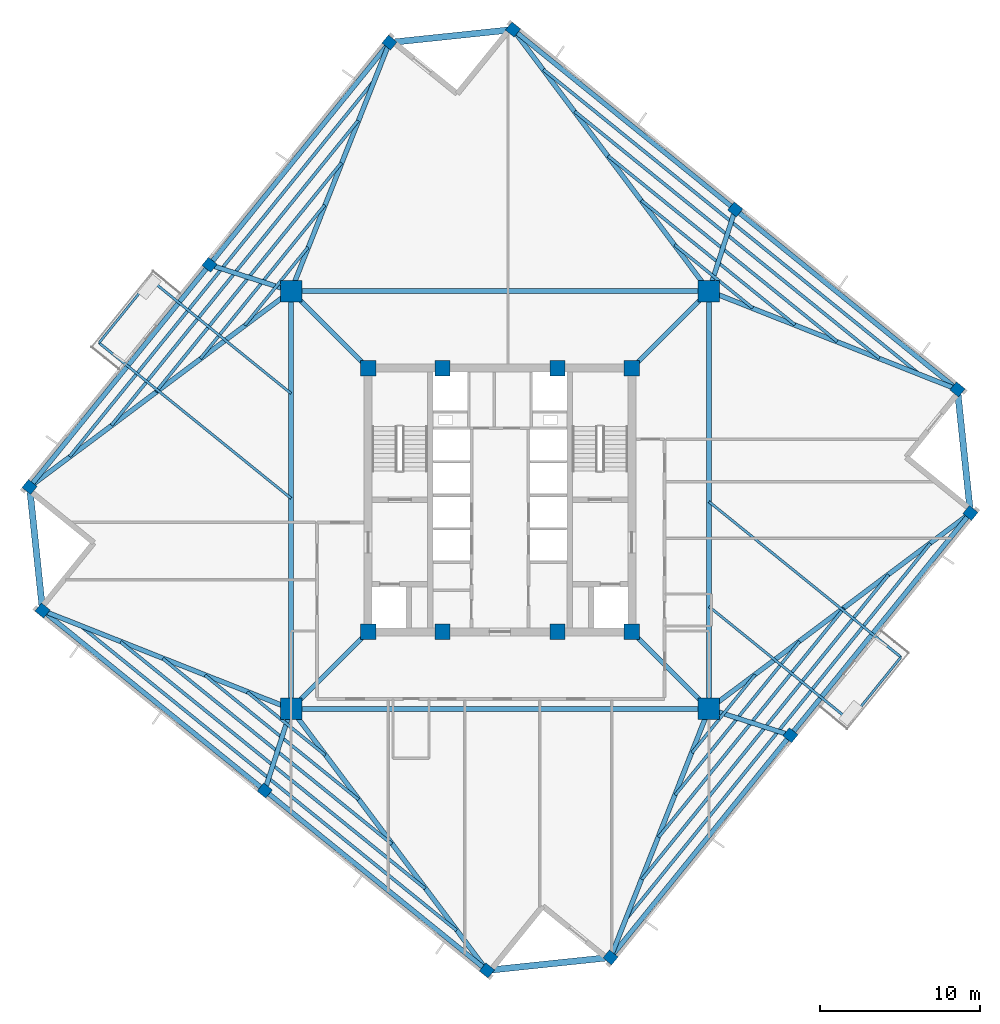
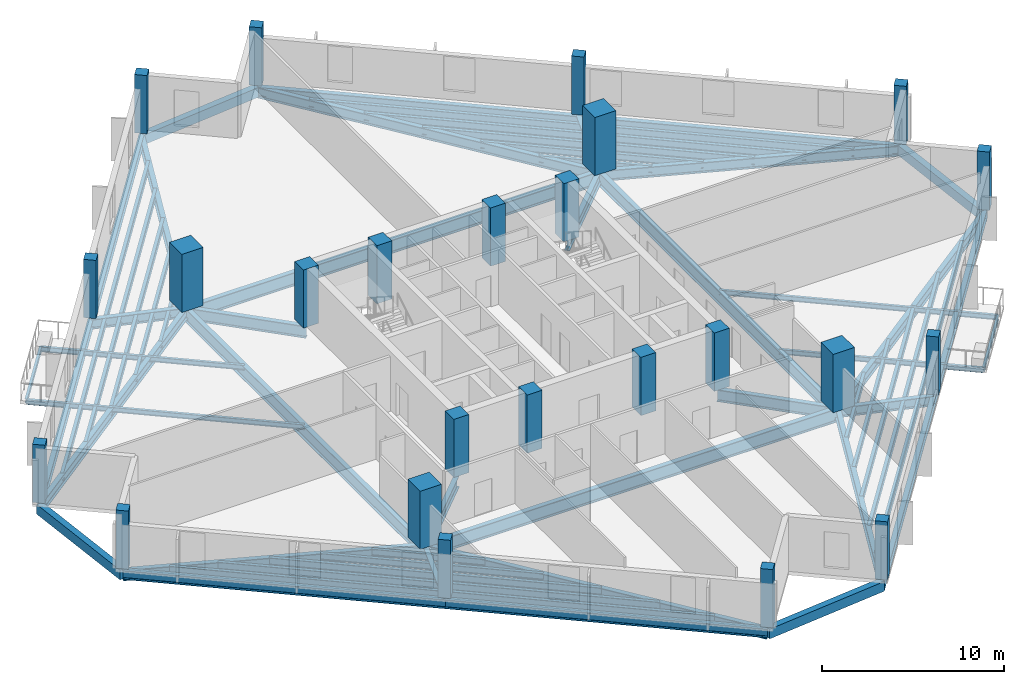
# One storey, part 1 of 9: 58 beams, 24 columns.
"""IFC4 building model written with IfcOpenShell, lengths in metres."""

from ifc_helpers import new_model, si_unit, direction, frame, origin, origin_2d, place, context, subcontext, project, spatial, rectangle, i_section, extrude, source, transform, mapped, material, material_profile, profile_set, type_object, element, save


model = new_model("IFC4")

# Units and contexts
model_context = context("Model", 3, precision=1e-05, world=origin(), true_north=direction((0.0, 1.0)))
body_context = subcontext(model_context, "Body", "Model", "MODEL_VIEW")
ifc_project = project(units=[si_unit("LENGTHUNIT", "METRE"), si_unit("AREAUNIT", "SQUARE_METRE"), si_unit("VOLUMEUNIT", "CUBIC_METRE"), si_unit("PLANEANGLEUNIT", "RADIAN"), si_unit("MASSUNIT", "GRAM", prefix="KILO"), si_unit("THERMODYNAMICTEMPERATUREUNIT", "KELVIN")], contexts=[model_context])

# Site, building, storey
site_placement = place(None, origin())
site = spatial("IfcSite", under=ifc_project, at=site_placement, CompositionType="ELEMENT")
building_placement = place(site_placement, origin())
building = spatial("IfcBuilding", under=site, at=building_placement, Name="Kosmvard Interchange Tower", CompositionType="ELEMENT")
storey_placement = place(building_placement, frame((0.0, 0.0, 209.5)))
storey = spatial("IfcBuildingStorey", under=building, at=storey_placement, Name="L50", CompositionType="ELEMENT", Elevation=209.5)

# Columns
ifc_material_1 = material(Name="Concrete C60/75", Category="concrete")
ifc_material_profile_1 = material_profile(ifc_material_1, rectangle(XDim=0.949951171875, YDim=0.949951171875, at=origin_2d()), Name="CP 950x950")
ifc_profile_set_1 = profile_set([ifc_material_profile_1], Name="Concrete C60/75")
column_type_1 = type_object("IfcColumnType", Name="Core Boundary Pilaster 950x950 C60/75", PredefinedType="PILASTER", material=ifc_profile_set_1)
shared_shape_1 = source(origin(), body_context, "Body", "SweptSolid", [
    extrude(rectangle(XDim=0.949951171875, YDim=0.949951171875, at=origin_2d()), origin(), (0.0, 0.0, 1.0), 3.89990234375),
])
for number, where, z_axis, x_axis, name in (
    (1, (-8.25, -8.25, 0.0), (0.0, 0.0, 1.0), (1.0, 0.0, 0.0), "L50 Core Pilaster CP1"),
    (2, (8.25, -8.25, 0.0), (0.0, 0.0, 1.0), (1.0, 0.0, 0.0), "L50 Core Pilaster CP2"),
    (3, (8.25, 8.25, 0.0), (0.0, 0.0, 1.0), (1.0, 0.0, 0.0), "L50 Core Pilaster CP3"),
    (4, (-8.25, 8.25, 0.0), (0.0, 0.0, 1.0), (1.0, 0.0, 0.0), "L50 Core Pilaster CP4"),
    (5, (-3.60009765625, -8.25, 0.0), (0.0, 0.0, 1.0), (1.0, 0.0, 0.0), "L50 Core Pilaster CP5"),
    (6, (3.60009765625, -8.25, 0.0), (0.0, 0.0, 1.0), (1.0, 0.0, 0.0), "L50 Core Pilaster CP6"),
    (7, (-3.60009765625, 8.25, 0.0), (0.0, 0.0, 1.0), (1.0, 0.0, 0.0), "L50 Core Pilaster CP7"),
    (8, (3.60009765625, 8.25, 0.0), (0.0, 0.0, 1.0), (1.0, 0.0, 0.0), "L50 Core Pilaster CP8"),
):
    element("IfcColumn", number, at=place(storey_placement, frame(where, z_axis=z_axis, x_axis=x_axis)), inside=storey, type_object=column_type_1, Name=name, PredefinedType="PILASTER", context=body_context, shape_type="MappedRepresentation", body=[
        mapped(shared_shape_1, transform((0.0, 0.0, 0.0), scale=1.0)),
    ])
ifc_material_profile_2 = material_profile(ifc_material_1, rectangle(XDim=1.35009765625, YDim=1.35009765625, at=origin_2d()), Name="MC 1350x1350")
ifc_profile_set_2 = profile_set([ifc_material_profile_2], Name="Concrete C60/75")
column_type_2 = type_object("IfcColumnType", Name="Composite Mega-Column 1350x1350 C60/75", PredefinedType="COLUMN", material=ifc_profile_set_2)
shared_shape_2 = source(origin(), body_context, "Body", "SweptSolid", [
    extrude(rectangle(XDim=1.35009765625, YDim=1.35009765625, at=origin_2d()), origin(), (0.0, 0.0, 1.0), 3.89990234375),
])
for number, where, z_axis, x_axis, name in (
    (9, (-13.0810546875, -13.0810546875, 0.0), (0.0, 0.0, 1.0), (1.0, 0.0, 0.0), "L50 Corner Mega-Column MC1"),
    (10, (13.0810546875, -13.0810546875, 0.0), (0.0, 0.0, 1.0), (1.0, 0.0, 0.0), "L50 Corner Mega-Column MC2"),
    (11, (13.0810546875, 13.0810546875, 0.0), (0.0, 0.0, 1.0), (1.0, 0.0, 0.0), "L50 Corner Mega-Column MC3"),
    (12, (-13.0810546875, 13.0810546875, 0.0), (0.0, 0.0, 1.0), (1.0, 0.0, 0.0), "L50 Corner Mega-Column MC4"),
):
    element("IfcColumn", number, at=place(storey_placement, frame(where, z_axis=z_axis, x_axis=x_axis)), inside=storey, type_object=column_type_2, Name=name, PredefinedType="COLUMN", context=body_context, shape_type="MappedRepresentation", body=[
        mapped(shared_shape_2, transform((0.0, 0.0, 0.0), scale=1.0)),
    ])
ifc_material_2 = material(Name="Concrete C50/60", Category="concrete")
ifc_material_profile_3 = material_profile(ifc_material_2, rectangle(XDim=0.64990234375, YDim=0.699951171875, at=origin_2d()), Name="TC 700x650")
ifc_profile_set_3 = profile_set([ifc_material_profile_3], Name="Concrete C50/60")
column_type_3 = type_object("IfcColumnType", Name="Zone 4 Perimeter Pier Column 700x650 C50/60", PredefinedType="COLUMN", material=ifc_profile_set_3)
shared_shape_3 = source(origin(), body_context, "Body", "SweptSolid", [
    extrude(rectangle(XDim=0.64990234375, YDim=0.699951171875, at=origin_2d()), origin(), (0.0, 0.0, 1.0), 3.89990234375),
])
for number, where, z_axis, x_axis, name in (
    (13, (6.92041015625, -28.636962890625, 0.0), (0.0, 0.0, 1.0), (0.62932039105, 0.777145961457, 0.0), "L50 Perimeter Pier Column TC-S1"),
    (14, (18.185302734375, -14.72607421875, 0.0), (0.0, 0.0, 1.0), (0.62932039105, 0.777145961457, 0.0), "L50 Perimeter Pier Column TC-S2"),
    (15, (29.449951171875, -0.815185546875, 0.0), (0.0, 0.0, 1.0), (0.62932039105, 0.777145961457, 0.0), "L50 Perimeter Pier Column TC-S3"),
    (16, (28.636962890625, 6.92041015625, 0.0), (0.0, 0.0, 1.0), (0.62932039105, 0.777145961457, 0.0), "L50 Perimeter Pier Column TC-E1"),
    (17, (14.72607421875, 18.185302734375, 0.0), (0.0, 0.0, 1.0), (0.62932039105, 0.777145961457, 0.0), "L50 Perimeter Pier Column TC-E2"),
    (18, (0.815185546875, 29.449951171875, 0.0), (0.0, 0.0, 1.0), (0.62932039105, 0.777145961457, 0.0), "L50 Perimeter Pier Column TC-E3"),
    (19, (-6.92041015625, 28.636962890625, 0.0), (0.0, 0.0, 1.0), (0.62932039105, 0.777145961457, 0.0), "L50 Perimeter Pier Column TC-N1"),
    (20, (-18.185302734375, 14.72607421875, 0.0), (0.0, 0.0, 1.0), (0.62932039105, 0.777145961457, 0.0), "L50 Perimeter Pier Column TC-N2"),
    (21, (-29.449951171875, 0.815185546875, 0.0), (0.0, 0.0, 1.0), (0.62932039105, 0.777145961457, 0.0), "L50 Perimeter Pier Column TC-N3"),
    (22, (-28.636962890625, -6.92041015625, 0.0), (0.0, 0.0, 1.0), (0.62932039105, 0.777145961457, 0.0), "L50 Perimeter Pier Column TC-W1"),
    (23, (-14.72607421875, -18.185302734375, 0.0), (0.0, 0.0, 1.0), (0.62932039105, 0.777145961457, 0.0), "L50 Perimeter Pier Column TC-W2"),
    (24, (-0.815185546875, -29.449951171875, 0.0), (0.0, 0.0, 1.0), (0.62932039105, 0.777145961457, 0.0), "L50 Perimeter Pier Column TC-W3"),
):
    element("IfcColumn", number, at=place(storey_placement, frame(where, z_axis=z_axis, x_axis=x_axis)), inside=storey, type_object=column_type_3, Name=name, PredefinedType="COLUMN", context=body_context, shape_type="MappedRepresentation", body=[
        mapped(shared_shape_3, transform((0.0, 0.0, 0.0), scale=1.0)),
    ])

# Beams
ifc_material_3 = material(Name="Steel S355", Category="steel")
ifc_material_profile_4 = material_profile(ifc_material_3, i_section(OverallWidth=0.14990234375, OverallDepth=0.300048828125, WebThickness=0.007080078125, FlangeThickness=0.0107421875, FilletRadius=0.014892578125, at=origin_2d()), Name="IPE 300")
ifc_profile_set_4 = profile_set([ifc_material_profile_4], Name="Steel S355")
beam_type_1 = type_object("IfcBeamType", Name="Balcony Edge Header Joist IPE 300 S355", PredefinedType="JOIST", material=ifc_profile_set_4)
shared_shape_4 = source(origin(), body_context, "Body", "SweptSolid", [
    extrude(i_section(OverallWidth=0.14990234375, OverallDepth=0.300048828125, WebThickness=0.007080078125, FlangeThickness=0.0107421875, FilletRadius=0.014892578125, at=origin_2d()), origin(), (0.0, 0.0, 1.0), 5.099853515625),
])
for number, where, z_axis, x_axis, name in (
    (25, (-21.89208984375, 13.80322265625, -0.389892578125), (-0.629319408179, -0.777146757369, 0.0), (0.777146757369, -0.629319408179, 0.0), "BM-L50-BJH1"),
    (26, (21.89208984375, -13.80322265625, -0.389892578125), (0.629319408179, 0.777146757369, 0.0), (-0.777146757369, 0.629319408179, 0.0), "BM-L50-BJH2"),
):
    element("IfcBeam", number, at=place(storey_placement, frame(where, z_axis=z_axis, x_axis=x_axis)), inside=storey, type_object=beam_type_1, Name=name, PredefinedType="JOIST", context=body_context, shape_type="MappedRepresentation", body=[
        mapped(shared_shape_4, transform((0.0, 0.0, 0.0), scale=1.0)),
    ])
ifc_material_profile_5 = material_profile(ifc_material_3, i_section(OverallWidth=0.300048828125, OverallDepth=0.800048828125, WebThickness=0.017578125, FlangeThickness=0.032958984375, FilletRadius=0.027099609375, at=origin_2d()), Name="HEB 800")
ifc_profile_set_5 = profile_set([ifc_material_profile_5], Name="Steel S355")
beam_type_2 = type_object("IfcBeamType", Name="Primary Mega-Frame Girder HEB 800 S355", PredefinedType="BEAM", material=ifc_profile_set_5)
shared_shape_5 = source(origin(), body_context, "Body", "SweptSolid", [
    extrude(i_section(OverallWidth=0.300048828125, OverallDepth=0.800048828125, WebThickness=0.017578125, FlangeThickness=0.032958984375, FilletRadius=0.027099609375, at=origin_2d()), origin(), (0.0, 0.0, 1.0), 6.83203125),
])
for number, where, z_axis, x_axis, name in (
    (27, (-8.25, -8.25, -0.639892578125), (-0.707106781187, -0.707106781187, 0.0), (0.707106781187, -0.707106781187, 0.0), "L50 Radial Mega-Frame Girder 1"),
    (28, (8.25, -8.25, -0.639892578125), (0.707106781187, -0.707106781187, 0.0), (0.707106781187, 0.707106781187, 0.0), "L50 Radial Mega-Frame Girder 2"),
    (29, (8.25, 8.25, -0.639892578125), (0.707106781187, 0.707106781187, 0.0), (-0.707106781187, 0.707106781187, 0.0), "L50 Radial Mega-Frame Girder 3"),
    (30, (-8.25, 8.25, -0.639892578125), (-0.707106781187, 0.707106781187, 0.0), (-0.707106781187, -0.707106781187, 0.0), "L50 Radial Mega-Frame Girder 4"),
):
    element("IfcBeam", number, at=place(storey_placement, frame(where, z_axis=z_axis, x_axis=x_axis)), inside=storey, type_object=beam_type_2, Name=name, PredefinedType="BEAM", context=body_context, shape_type="MappedRepresentation", body=[
        mapped(shared_shape_5, transform((0.0, 0.0, 0.0), scale=1.0)),
    ])
ifc_material_profile_6 = material_profile(ifc_material_3, i_section(OverallWidth=0.300048828125, OverallDepth=0.89990234375, WebThickness=0.0185546875, FlangeThickness=0.034912109375, FilletRadius=0.030029296875, at=origin_2d()), Name="HEB 900")
ifc_profile_set_6 = profile_set([ifc_material_profile_6], Name="Steel S355")
beam_type_3 = type_object("IfcBeamType", Name="Mega-Column Ring Girder HEB 900 S355", PredefinedType="BEAM", material=ifc_profile_set_6)
shared_shape_6 = source(origin(), body_context, "Body", "SweptSolid", [
    extrude(i_section(OverallWidth=0.300048828125, OverallDepth=0.89990234375, WebThickness=0.0185546875, FlangeThickness=0.034912109375, FilletRadius=0.030029296875, at=origin_2d()), origin(), (0.0, 0.0, 1.0), 26.162109375),
])
for number, where, z_axis, x_axis, name in (
    (31, (-13.0810546875, -13.0810546875, -0.68994140625), (1.0, 0.0, 0.0), (0.0, 1.0, 0.0), "L50 Mega-Column Ring Girder 1"),
    (32, (13.0810546875, -13.0810546875, -0.68994140625), (0.0, 1.0, 0.0), (-1.0, 0.0, 0.0), "L50 Mega-Column Ring Girder 2"),
    (33, (13.0810546875, 13.0810546875, -0.68994140625), (-1.0, 0.0, 0.0), (0.0, -1.0, 0.0), "L50 Mega-Column Ring Girder 3"),
    (34, (-13.0810546875, 13.0810546875, -0.68994140625), (0.0, -1.0, 0.0), (1.0, 0.0, 0.0), "L50 Mega-Column Ring Girder 4"),
):
    element("IfcBeam", number, at=place(storey_placement, frame(where, z_axis=z_axis, x_axis=x_axis)), inside=storey, type_object=beam_type_3, Name=name, PredefinedType="BEAM", context=body_context, shape_type="MappedRepresentation", body=[
        mapped(shared_shape_6, transform((0.0, 0.0, 0.0), scale=1.0)),
    ])
ifc_material_profile_7 = material_profile(ifc_material_3, i_section(OverallWidth=0.300048828125, OverallDepth=0.60009765625, WebThickness=0.015380859375, FlangeThickness=0.030029296875, FilletRadius=0.027099609375, at=origin_2d()), Name="HEB 600")
ifc_profile_set_7 = profile_set([ifc_material_profile_7], Name="Steel S355")
beam_type_4 = type_object("IfcBeamType", Name="Perimeter Tie Girder HEB 600 S355", PredefinedType="BEAM", material=ifc_profile_set_7)
shared_shape_7 = source(origin(), body_context, "Body", "SweptSolid", [
    extrude(i_section(OverallWidth=0.300048828125, OverallDepth=0.60009765625, WebThickness=0.015380859375, FlangeThickness=0.030029296875, FilletRadius=0.027099609375, at=origin_2d()), origin(), (0.0, 0.0, 1.0), 17.89990234375),
])
for number, where, z_axis, x_axis, name in (
    (35, (6.92041015625, -28.636962890625, -0.5400390625), (0.629322990554, 0.777143856413, 0.0), (-0.777143856413, 0.629322990554, 0.0), "BM-L50-PR01"),
    (36, (18.185302734375, -14.72607421875, -0.5400390625), (0.629314753061, 0.777150526976, 0.0), (-0.777150526976, 0.629314753061, 0.0), "BM-L50-PR02"),
    (37, (28.636962890625, 6.92041015625, -0.5400390625), (-0.777143856413, 0.629322990554, 0.0), (-0.629322990554, -0.777143856413, 0.0), "BM-L50-PR04"),
    (38, (14.72607421875, 18.185302734375, -0.5400390625), (-0.777150526976, 0.629314753061, 0.0), (-0.629314753061, -0.777150526976, 0.0), "BM-L50-PR05"),
    (39, (-6.92041015625, 28.636962890625, -0.5400390625), (-0.629322990554, -0.777143856413, 0.0), (0.777143856413, -0.629322990554, 0.0), "BM-L50-PR07"),
    (40, (-18.185302734375, 14.72607421875, -0.5400390625), (-0.629314753061, -0.777150526976, 0.0), (0.777150526976, -0.629314753061, 0.0), "BM-L50-PR08"),
    (41, (-28.636962890625, -6.92041015625, -0.5400390625), (0.777143856413, -0.629322990554, 0.0), (0.629322990554, 0.777143856413, 0.0), "BM-L50-PR10"),
    (42, (-14.72607421875, -18.185302734375, -0.5400390625), (0.777150526976, -0.629314753061, 0.0), (0.629314753061, 0.777150526976, 0.0), "BM-L50-PR11"),
):
    element("IfcBeam", number, at=place(storey_placement, frame(where, z_axis=z_axis, x_axis=x_axis)), inside=storey, type_object=beam_type_4, Name=name, PredefinedType="BEAM", context=body_context, shape_type="MappedRepresentation", body=[
        mapped(shared_shape_7, transform((0.0, 0.0, 0.0), scale=1.0)),
    ])
ifc_material_profile_8 = material_profile(ifc_material_3, i_section(OverallWidth=0.300048828125, OverallDepth=0.699951171875, WebThickness=0.01708984375, FlangeThickness=0.031982421875, FilletRadius=0.027099609375, at=origin_2d()), Name="HEB 700")
ifc_profile_set_8 = profile_set([ifc_material_profile_8], Name="Steel S355")
beam_type_5 = type_object("IfcBeamType", Name="Primary Floor Girder HEB 700 S355", PredefinedType="BEAM", material=ifc_profile_set_8)
shared_shape_8 = source(origin(), body_context, "Body", "SweptSolid", [
    extrude(i_section(OverallWidth=0.300048828125, OverallDepth=0.699951171875, WebThickness=0.01708984375, FlangeThickness=0.031982421875, FilletRadius=0.027099609375, at=origin_2d()), origin(), (0.0, 0.0, 1.0), 16.7314453125),
])
for number, where, z_axis, x_axis, name in (
    (43, (13.0810546875, -13.0810546875, -0.590087890625), (-0.368208500474, -0.929743244223, 0.0), (0.929743244223, -0.368208500474, 0.0), "BM-L50-RD01"),
    (44, (13.0810546875, 13.0810546875, -0.590087890625), (0.929743244223, -0.368208500474, 0.0), (0.368208500474, 0.929743244223, 0.0), "BM-L50-RD04"),
    (45, (-13.0810546875, 13.0810546875, -0.590087890625), (0.368208500474, 0.929743244223, 0.0), (-0.929743244223, 0.368208500474, 0.0), "BM-L50-RD07"),
    (46, (-13.0810546875, -13.0810546875, -0.590087890625), (-0.929743244223, 0.368208500474, 0.0), (-0.368208500474, -0.929743244223, 0.0), "BM-L50-RD10"),
):
    element("IfcBeam", number, at=place(storey_placement, frame(where, z_axis=z_axis, x_axis=x_axis)), inside=storey, type_object=beam_type_5, Name=name, PredefinedType="BEAM", context=body_context, shape_type="MappedRepresentation", body=[
        mapped(shared_shape_8, transform((0.0, 0.0, 0.0), scale=1.0)),
    ])
ifc_material_profile_9 = material_profile(ifc_material_3, i_section(OverallWidth=0.300048828125, OverallDepth=0.64990234375, WebThickness=0.01611328125, FlangeThickness=0.031005859375, FilletRadius=0.027099609375, at=origin_2d()), Name="HEB 650")
ifc_profile_set_9 = profile_set([ifc_material_profile_9], Name="Steel S355")
beam_type_6 = type_object("IfcBeamType", Name="Primary Floor Girder HEB 650 S355", PredefinedType="BEAM", material=ifc_profile_set_9)
shared_shape_9 = source(origin(), body_context, "Body", "SweptSolid", [
    extrude(i_section(OverallWidth=0.300048828125, OverallDepth=0.64990234375, WebThickness=0.01611328125, FlangeThickness=0.031005859375, FilletRadius=0.027099609375, at=origin_2d()), origin(), (0.0, 0.0, 1.0), 5.36279296875),
])
for number, where, z_axis, x_axis, name in (
    (47, (13.0810546875, -13.0810546875, -0.56494140625), (0.951790966135, -0.306747382686, 0.0), (0.306747382686, 0.951790966135, 0.0), "BM-L50-RD02"),
    (48, (13.0810546875, 13.0810546875, -0.56494140625), (0.306747382686, 0.951790966135, 0.0), (-0.951790966135, 0.306747382686, 0.0), "BM-L50-RD05"),
    (49, (-13.0810546875, 13.0810546875, -0.56494140625), (-0.951790966135, 0.306747382686, 0.0), (-0.306747382686, -0.951790966135, 0.0), "BM-L50-RD08"),
    (50, (-13.0810546875, -13.0810546875, -0.56494140625), (-0.306747382686, -0.951790966135, 0.0), (0.951790966135, -0.306747382686, 0.0), "BM-L50-RD11"),
):
    element("IfcBeam", number, at=place(storey_placement, frame(where, z_axis=z_axis, x_axis=x_axis)), inside=storey, type_object=beam_type_6, Name=name, PredefinedType="BEAM", context=body_context, shape_type="MappedRepresentation", body=[
        mapped(shared_shape_9, transform((0.0, 0.0, 0.0), scale=1.0)),
    ])
ifc_material_4 = material(Name="Precast concrete C45/55", Category="concrete")
ifc_material_profile_10 = material_profile(ifc_material_4, rectangle(XDim=0.39990234375, YDim=0.64990234375, at=origin_2d()), Name="SL 400x650")
ifc_profile_set_10 = profile_set([ifc_material_profile_10], Name="Precast concrete C45/55")
beam_type_7 = type_object("IfcBeamType", Name="Precast Spandrel Lintel 400x650 C45/55", PredefinedType="LINTEL", material=ifc_profile_set_10)
shared_shape_10 = source(origin(), body_context, "Body", "SweptSolid", [
    extrude(rectangle(XDim=0.39990234375, YDim=0.64990234375, at=origin_2d()), origin(), (0.0, 0.0, 1.0), 7.7783203125),
])
for number, where, z_axis, x_axis, name in (
    (51, (29.449951171875, -0.815185546875, -0.56494140625), (-0.104521394525, 0.994522638298, 0.0), (-0.994522638298, -0.104521394525, 0.0), "BM-L50-SL1"),
    (52, (0.815185546875, 29.449951171875, -0.56494140625), (-0.994522638298, -0.104521394525, 0.0), (0.104521394525, -0.994522638298, 0.0), "BM-L50-SL2"),
    (53, (-29.449951171875, 0.815185546875, -0.56494140625), (0.104521394525, -0.994522638298, 0.0), (0.994522638298, 0.104521394525, 0.0), "BM-L50-SL3"),
    (54, (-0.815185546875, -29.449951171875, -0.56494140625), (0.994522638298, 0.104521394525, 0.0), (-0.104521394525, 0.994522638298, 0.0), "BM-L50-SL4"),
):
    element("IfcBeam", number, at=place(storey_placement, frame(where, z_axis=z_axis, x_axis=x_axis)), inside=storey, type_object=beam_type_7, Name=name, PredefinedType="LINTEL", context=body_context, shape_type="MappedRepresentation", body=[
        mapped(shared_shape_10, transform((0.0, 0.0, 0.0), scale=1.0)),
    ])
shared_shape_11 = source(origin(), body_context, "Body", "SweptSolid", [
    extrude(i_section(OverallWidth=0.300048828125, OverallDepth=0.699951171875, WebThickness=0.01708984375, FlangeThickness=0.031982421875, FilletRadius=0.027099609375, at=origin_2d()), origin(), (0.0, 0.0, 1.0), 20.45458984375),
])
for number, where, z_axis, x_axis, name in (
    (55, (13.0810546875, -13.0810546875, -0.590087890625), (0.800253443036, 0.599661927179, 0.0), (-0.599661927179, 0.800253443036, 0.0), "BM-L50-RD03"),
    (56, (13.0810546875, 13.0810546875, -0.590087890625), (-0.599661927179, 0.800253443036, 0.0), (-0.800253443036, -0.599661927179, 0.0), "BM-L50-RD06"),
    (57, (-13.0810546875, 13.0810546875, -0.590087890625), (-0.800253443036, -0.599661927179, 0.0), (0.599661927179, -0.800253443036, 0.0), "BM-L50-RD09"),
    (58, (-13.0810546875, -13.0810546875, -0.590087890625), (0.599661927179, -0.800253443036, 0.0), (0.800253443036, 0.599661927179, 0.0), "BM-L50-RD12"),
):
    element("IfcBeam", number, at=place(storey_placement, frame(where, z_axis=z_axis, x_axis=x_axis)), inside=storey, type_object=beam_type_5, Name=name, PredefinedType="BEAM", context=body_context, shape_type="MappedRepresentation", body=[
        mapped(shared_shape_11, transform((0.0, 0.0, 0.0), scale=1.0)),
    ])
ifc_material_profile_11 = material_profile(ifc_material_3, i_section(OverallWidth=0.18994140625, OverallDepth=0.449951171875, WebThickness=0.009521484375, FlangeThickness=0.0146484375, FilletRadius=0.02099609375, at=origin_2d()), Name="IPE 450")
ifc_profile_set_11 = profile_set([ifc_material_profile_11], Name="Steel S355")
beam_type_8 = type_object("IfcBeamType", Name="Mid-Rise Floor Joist IPE 450 S355", PredefinedType="JOIST", material=ifc_profile_set_11)
shared_shape_12 = source(origin(), body_context, "Body", "SweptSolid", [
    extrude(i_section(OverallWidth=0.18994140625, OverallDepth=0.449951171875, WebThickness=0.009521484375, FlangeThickness=0.0146484375, FilletRadius=0.02099609375, at=origin_2d()), origin(), (0.0, 0.0, 1.0), 6.283935546875),
])
for number, where, z_axis, x_axis, name in (
    (59, (12.0224609375, -15.81884765625, -0.465087890625), (0.629317809561, 0.777148051898, 0.0), (-0.777148051898, 0.629317809561, 0.0), "BM-L50-FJ01"),
    (60, (15.81884765625, 12.0224609375, -0.465087890625), (-0.777148051898, 0.629317809561, 0.0), (-0.629317809561, -0.777148051898, 0.0), "BM-L50-FJ06"),
    (61, (-12.0224609375, 15.81884765625, -0.465087890625), (-0.629317809561, -0.777148051898, 0.0), (0.777148051898, -0.629317809561, 0.0), "BM-L50-FJ11"),
    (62, (-15.81884765625, -12.0224609375, -0.465087890625), (0.777148051898, -0.629317809561, 0.0), (0.629317809561, 0.777148051898, 0.0), "BM-L50-FJ16"),
):
    element("IfcBeam", number, at=place(storey_placement, frame(where, z_axis=z_axis, x_axis=x_axis)), inside=storey, type_object=beam_type_8, Name=name, PredefinedType="JOIST", context=body_context, shape_type="MappedRepresentation", body=[
        mapped(shared_shape_12, transform((0.0, 0.0, 0.0), scale=1.0)),
    ])
shared_shape_13 = source(origin(), body_context, "Body", "SweptSolid", [
    extrude(i_section(OverallWidth=0.18994140625, OverallDepth=0.449951171875, WebThickness=0.009521484375, FlangeThickness=0.0146484375, FilletRadius=0.02099609375, at=origin_2d()), origin(), (0.0, 0.0, 1.0), 12.369873046875),
])
for number, where, z_axis, x_axis, name in (
    (63, (10.97509765625, -18.46337890625, -0.465087890625), (0.629319722443, 0.777146502883, 0.0), (-0.777146502883, 0.629319722443, 0.0), "BM-L50-FJ02"),
    (64, (18.46337890625, 10.97509765625, -0.465087890625), (-0.777146502883, 0.629319722443, 0.0), (-0.629319722443, -0.777146502883, 0.0), "BM-L50-FJ07"),
    (65, (-10.97509765625, 18.46337890625, -0.465087890625), (-0.629319722443, -0.777146502883, 0.0), (0.777146502883, -0.629319722443, 0.0), "BM-L50-FJ12"),
    (66, (-18.46337890625, -10.97509765625, -0.465087890625), (0.777146502883, -0.629319722443, 0.0), (0.629319722443, 0.777146502883, 0.0), "BM-L50-FJ17"),
):
    element("IfcBeam", number, at=place(storey_placement, frame(where, z_axis=z_axis, x_axis=x_axis)), inside=storey, type_object=beam_type_8, Name=name, PredefinedType="JOIST", context=body_context, shape_type="MappedRepresentation", body=[
        mapped(shared_shape_13, transform((0.0, 0.0, 0.0), scale=1.0)),
    ])
ifc_material_profile_12 = material_profile(ifc_material_3, i_section(OverallWidth=0.199951171875, OverallDepth=0.5, WebThickness=0.01025390625, FlangeThickness=0.01611328125, FilletRadius=0.02099609375, at=origin_2d()), Name="IPE 500")
ifc_profile_set_12 = profile_set([ifc_material_profile_12], Name="Steel S355")
beam_type_9 = type_object("IfcBeamType", Name="Standard Floor Joist IPE 500 S355", PredefinedType="JOIST", material=ifc_profile_set_12)
shared_shape_14 = source(origin(), body_context, "Body", "SweptSolid", [
    extrude(i_section(OverallWidth=0.199951171875, OverallDepth=0.5, WebThickness=0.01025390625, FlangeThickness=0.01611328125, FilletRadius=0.02099609375, at=origin_2d()), origin(), (0.0, 0.0, 1.0), 18.4560546875),
])
for number, where, z_axis, x_axis, name in (
    (67, (9.927734375, -21.10791015625, -0.489990234375), (0.629320373744, 0.777145975471, 0.0), (-0.777145975471, 0.629320373744, 0.0), "BM-L50-FJ03"),
    (68, (21.10791015625, 9.927734375, -0.489990234375), (-0.777145975471, 0.629320373744, 0.0), (-0.629320373744, -0.777145975471, 0.0), "BM-L50-FJ08"),
    (69, (-9.927734375, 21.10791015625, -0.489990234375), (-0.629320373744, -0.777145975471, 0.0), (0.777145975471, -0.629320373744, 0.0), "BM-L50-FJ13"),
    (70, (-21.10791015625, -9.927734375, -0.489990234375), (0.777145975471, -0.629320373744, 0.0), (0.629320373744, 0.777145975471, 0.0), "BM-L50-FJ18"),
):
    element("IfcBeam", number, at=place(storey_placement, frame(where, z_axis=z_axis, x_axis=x_axis)), inside=storey, type_object=beam_type_9, Name=name, PredefinedType="JOIST", context=body_context, shape_type="MappedRepresentation", body=[
        mapped(shared_shape_14, transform((0.0, 0.0, 0.0), scale=1.0)),
    ])
shared_shape_15 = source(origin(), body_context, "Body", "SweptSolid", [
    extrude(i_section(OverallWidth=0.199951171875, OverallDepth=0.5, WebThickness=0.01025390625, FlangeThickness=0.01611328125, FilletRadius=0.02099609375, at=origin_2d()), origin(), (0.0, 0.0, 1.0), 24.5419921875),
])
for number, where, z_axis, x_axis, name in (
    (71, (8.880615234375, -23.75244140625, -0.489990234375), (0.629314693907, 0.777150574878, 0.0), (-0.777150574878, 0.629314693907, 0.0), "BM-L50-FJ04"),
    (72, (23.75244140625, 8.880615234375, -0.489990234375), (-0.777150574878, 0.629314693907, 0.0), (-0.629314693907, -0.777150574878, 0.0), "BM-L50-FJ09"),
    (73, (-8.880615234375, 23.75244140625, -0.489990234375), (-0.629314693907, -0.777150574878, 0.0), (0.777150574878, -0.629314693907, 0.0), "BM-L50-FJ14"),
    (74, (-23.75244140625, -8.880615234375, -0.489990234375), (0.777150574878, -0.629314693907, 0.0), (0.629314693907, 0.777150574878, 0.0), "BM-L50-FJ19"),
):
    element("IfcBeam", number, at=place(storey_placement, frame(where, z_axis=z_axis, x_axis=x_axis)), inside=storey, type_object=beam_type_9, Name=name, PredefinedType="JOIST", context=body_context, shape_type="MappedRepresentation", body=[
        mapped(shared_shape_15, transform((0.0, 0.0, 0.0), scale=1.0)),
    ])
shared_shape_16 = source(origin(), body_context, "Body", "SweptSolid", [
    extrude(i_section(OverallWidth=0.199951171875, OverallDepth=0.5, WebThickness=0.01025390625, FlangeThickness=0.01611328125, FilletRadius=0.02099609375, at=origin_2d()), origin(), (0.0, 0.0, 1.0), 30.27001953125),
])
for number, where, z_axis, x_axis, name in (
    (75, (7.894775390625, -26.241455078125, -0.489990234375), (0.629321655027, 0.777144937907, 0.0), (-0.777144937907, 0.629321655027, 0.0), "BM-L50-FJ05"),
    (76, (26.241455078125, 7.894775390625, -0.489990234375), (-0.777144937907, 0.629321655027, 0.0), (-0.629321655027, -0.777144937907, 0.0), "BM-L50-FJ10"),
    (77, (-7.894775390625, 26.241455078125, -0.489990234375), (-0.629321655027, -0.777144937907, 0.0), (0.777144937907, -0.629321655027, 0.0), "BM-L50-FJ15"),
    (78, (-26.241455078125, -7.894775390625, -0.489990234375), (0.777144937907, -0.629321655027, 0.0), (0.629321655027, 0.777144937907, 0.0), "BM-L50-FJ20"),
):
    element("IfcBeam", number, at=place(storey_placement, frame(where, z_axis=z_axis, x_axis=x_axis)), inside=storey, type_object=beam_type_9, Name=name, PredefinedType="JOIST", context=body_context, shape_type="MappedRepresentation", body=[
        mapped(shared_shape_16, transform((0.0, 0.0, 0.0), scale=1.0)),
    ])
ifc_material_profile_13 = material_profile(ifc_material_3, i_section(OverallWidth=0.159912109375, OverallDepth=0.330078125, WebThickness=0.007568359375, FlangeThickness=0.011474609375, FilletRadius=0.01806640625, at=origin_2d()), Name="IPE 330")
ifc_profile_set_13 = profile_set([ifc_material_profile_13], Name="Steel S355")
beam_type_10 = type_object("IfcBeamType", Name="Balcony Cantilever Joist IPE 330 S355", PredefinedType="JOIST", material=ifc_profile_set_13)
shared_shape_17 = source(origin(), body_context, "Body", "SweptSolid", [
    extrude(i_section(OverallWidth=0.159912109375, OverallDepth=0.330078125, WebThickness=0.007568359375, FlangeThickness=0.011474609375, FilletRadius=0.01806640625, at=origin_2d()), origin(), (0.0, 0.0, 1.0), 11.337646484375),
])
for number, where, z_axis, x_axis, name in (
    (79, (-13.0810546875, 6.668212890625, -0.405029296875), (-0.777147075247, 0.629319015631, 0.0), (-0.629319015631, -0.777147075247, 0.0), "BM-L50-BJ1"),
    (80, (13.0810546875, -6.668212890625, -0.405029296875), (0.777147075247, -0.629319015631, 0.0), (0.629319015631, 0.777147075247, 0.0), "BM-L50-BJ2"),
):
    element("IfcBeam", number, at=place(storey_placement, frame(where, z_axis=z_axis, x_axis=x_axis)), inside=storey, type_object=beam_type_10, Name=name, PredefinedType="JOIST", context=body_context, shape_type="MappedRepresentation", body=[
        mapped(shared_shape_17, transform((0.0, 0.0, 0.0), scale=1.0)),
    ])
shared_shape_18 = source(origin(), body_context, "Body", "SweptSolid", [
    extrude(i_section(OverallWidth=0.159912109375, OverallDepth=0.330078125, WebThickness=0.007568359375, FlangeThickness=0.011474609375, FilletRadius=0.01806640625, at=origin_2d()), origin(), (0.0, 0.0, 1.0), 15.467529296875),
])
for number, where, z_axis, x_axis, name in (
    (81, (-13.0810546875, 0.105712890625, -0.405029296875), (-0.777142307458, 0.629324903336, 0.0), (-0.629324903336, -0.777142307458, 0.0), "BM-L50-BJB1"),
    (82, (13.0810546875, -0.105712890625, -0.405029296875), (0.777142307458, -0.629324903336, 0.0), (0.629324903336, 0.777142307458, 0.0), "BM-L50-BJB2"),
):
    element("IfcBeam", number, at=place(storey_placement, frame(where, z_axis=z_axis, x_axis=x_axis)), inside=storey, type_object=beam_type_10, Name=name, PredefinedType="JOIST", context=body_context, shape_type="MappedRepresentation", body=[
        mapped(shared_shape_18, transform((0.0, 0.0, 0.0), scale=1.0)),
    ])

save(model, "model.ifc")
